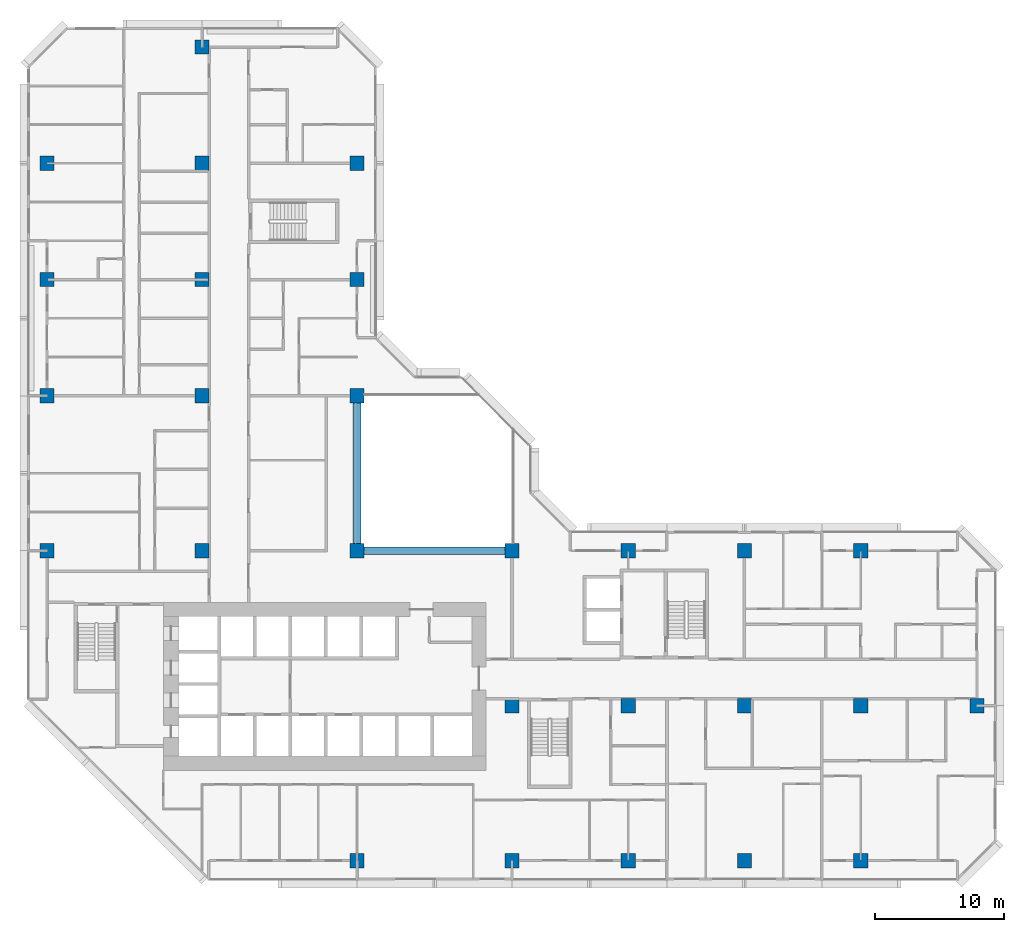
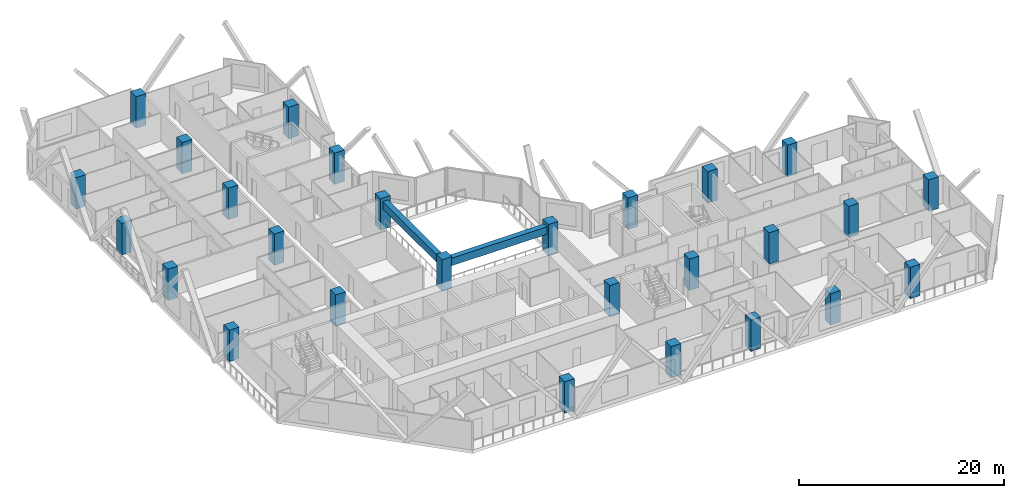
# One storey, part 1 of 15: 27 columns, 2 beams.
"""IFC4 building model written with IfcOpenShell, lengths in metres."""

from ifc_helpers import new_model, si_unit, direction, frame, origin, origin_2d, place, context, subcontext, project, spatial, rectangle, extrude, material, material_profile, profile_set, type_object, element, save


model = new_model("IFC4")

# Units and contexts
model_context = context("Model", 3, precision=1e-05, world=origin(), true_north=direction((0.0, 1.0)))
body_context = subcontext(model_context, "Body", "Model", "MODEL_VIEW")
ifc_project = project(units=[si_unit("LENGTHUNIT", "METRE"), si_unit("AREAUNIT", "SQUARE_METRE"), si_unit("VOLUMEUNIT", "CUBIC_METRE"), si_unit("PLANEANGLEUNIT", "RADIAN"), si_unit("MASSUNIT", "GRAM", prefix="KILO")], contexts=[model_context])

# Site, building, storey
site_placement = place(None, origin())
site = spatial("IfcSite", under=ifc_project, at=site_placement, CompositionType="ELEMENT")
building_placement = place(site_placement, origin())
building = spatial("IfcBuilding", under=site, at=building_placement, Name="Chenar Terraces", CompositionType="ELEMENT")
storey_placement = place(building_placement, frame((0.0, 0.0, 56.39990234375)))
storey = spatial("IfcBuildingStorey", under=building, at=storey_placement, Name="L11", CompositionType="ELEMENT", Elevation=56.39990234375)

# Columns
ifc_material_1 = material(Name="Concrete C70/85", Category="concrete")
ifc_material_profile_1 = material_profile(ifc_material_1, rectangle(XDim=1.10009765625, YDim=1.10009765625, at=origin_2d()), Name="C 1100 x 1100")
ifc_profile_set_1 = profile_set([ifc_material_profile_1], Name="Concrete C70/85")
column_type = type_object("IfcColumnType", Name="Column C 1100 x 1100 Concrete C70/85", PredefinedType="COLUMN", material=ifc_profile_set_1)
column_1_placement = place(storey_placement, frame((0.0, 24.0, 0.0), z_axis=(0.0, 0.0, 1.0), x_axis=(1.0, 0.0, 0.0)))
element("IfcColumn", 1, at=column_1_placement, inside=storey, type_object=column_type, Name="Column 5/G L11", PredefinedType="COLUMN", context=body_context, shape_type="SweptSolid", body=[
    extrude(rectangle(XDim=1.10009765625, YDim=1.10009765625, at=origin_2d()), origin(), (0.0, 0.0, 1.0), 3.75),
])
column_2_placement = place(storey_placement, frame((0.0, 36.0, 0.0), z_axis=(0.0, 0.0, 1.0), x_axis=(1.0, 0.0, 0.0)))
element("IfcColumn", 2, at=column_2_placement, inside=storey, type_object=column_type, Name="Column 5/H L11", PredefinedType="COLUMN", context=body_context, shape_type="SweptSolid", body=[
    extrude(rectangle(XDim=1.10009765625, YDim=1.10009765625, at=origin_2d()), origin(), (0.0, 0.0, 1.0), 3.75),
])
column_3_placement = place(storey_placement, frame((0.0, 45.0, 0.0), z_axis=(0.0, 0.0, 1.0), x_axis=(1.0, 0.0, 0.0)))
element("IfcColumn", 3, at=column_3_placement, inside=storey, type_object=column_type, Name="Column 5/J L11", PredefinedType="COLUMN", context=body_context, shape_type="SweptSolid", body=[
    extrude(rectangle(XDim=1.10009765625, YDim=1.10009765625, at=origin_2d()), origin(), (0.0, 0.0, 1.0), 3.75),
])
column_4_placement = place(storey_placement, frame((0.0, 54.0, 0.0), z_axis=(0.0, 0.0, 1.0), x_axis=(1.0, 0.0, 0.0)))
element("IfcColumn", 4, at=column_4_placement, inside=storey, type_object=column_type, Name="Column 5/K L11", PredefinedType="COLUMN", context=body_context, shape_type="SweptSolid", body=[
    extrude(rectangle(XDim=1.10009765625, YDim=1.10009765625, at=origin_2d()), origin(), (0.0, 0.0, 1.0), 3.75),
])
for number, where, z_axis, x_axis, name in (
    (5, (12.0, 24.0, 0.0), (0.0, 0.0, 1.0), (1.0, 0.0, 0.0), "Column 6/G L11"),
    (6, (12.0, 36.0, 0.0), (0.0, 0.0, 1.0), (1.0, 0.0, 0.0), "Column 6/H L11"),
    (7, (12.0, 45.0, 0.0), (0.0, 0.0, 1.0), (1.0, 0.0, 0.0), "Column 6/J L11"),
    (8, (12.0, 54.0, 0.0), (0.0, 0.0, 1.0), (1.0, 0.0, 0.0), "Column 6/K L11"),
    (9, (12.0, 63.0, 0.0), (0.0, 0.0, 1.0), (1.0, 0.0, 0.0), "Column 6/L L11"),
    (10, (24.0, 0.0, 0.0), (0.0, 0.0, 1.0), (1.0, 0.0, 0.0), "Column 7/E L11"),
    (11, (24.0, 24.0, 0.0), (0.0, 0.0, 1.0), (1.0, 0.0, 0.0), "Column 7/G L11"),
    (12, (24.0, 36.0, 0.0), (0.0, 0.0, 1.0), (1.0, 0.0, 0.0), "Column 7/H L11"),
    (13, (24.0, 45.0, 0.0), (0.0, 0.0, 1.0), (1.0, 0.0, 0.0), "Column 7/J L11"),
    (14, (24.0, 54.0, 0.0), (0.0, 0.0, 1.0), (1.0, 0.0, 0.0), "Column 7/K L11"),
    (15, (36.0, 0.0, 0.0), (0.0, 0.0, 1.0), (1.0, 0.0, 0.0), "Column 8/E L11"),
    (16, (36.0, 12.0, 0.0), (0.0, 0.0, 1.0), (1.0, 0.0, 0.0), "Column 8/F L11"),
    (17, (36.0, 24.0, 0.0), (0.0, 0.0, 1.0), (1.0, 0.0, 0.0), "Column 8/G L11"),
    (18, (45.0, 0.0, 0.0), (0.0, 0.0, 1.0), (1.0, 0.0, 0.0), "Column 9/E L11"),
    (19, (45.0, 12.0, 0.0), (0.0, 0.0, 1.0), (1.0, 0.0, 0.0), "Column 9/F L11"),
    (20, (45.0, 24.0, 0.0), (0.0, 0.0, 1.0), (1.0, 0.0, 0.0), "Column 9/G L11"),
    (21, (54.0, 0.0, 0.0), (0.0, 0.0, 1.0), (1.0, 0.0, 0.0), "Column 10/E L11"),
    (22, (54.0, 12.0, 0.0), (0.0, 0.0, 1.0), (1.0, 0.0, 0.0), "Column 10/F L11"),
    (23, (54.0, 24.0, 0.0), (0.0, 0.0, 1.0), (1.0, 0.0, 0.0), "Column 10/G L11"),
    (24, (63.0, 0.0, 0.0), (0.0, 0.0, 1.0), (1.0, 0.0, 0.0), "Column 11/E L11"),
    (25, (63.0, 12.0, 0.0), (0.0, 0.0, 1.0), (1.0, 0.0, 0.0), "Column 11/F L11"),
    (26, (63.0, 24.0, 0.0), (0.0, 0.0, 1.0), (1.0, 0.0, 0.0), "Column 11/G L11"),
    (27, (72.0, 12.0, 0.0), (0.0, 0.0, 1.0), (1.0, 0.0, 0.0), "Column 12/F L11"),
):
    element("IfcColumn", number, at=place(storey_placement, frame(where, z_axis=z_axis, x_axis=x_axis)), inside=storey, type_object=column_type, Name=name, PredefinedType="COLUMN", context=body_context, shape_type="SweptSolid", body=[
        extrude(rectangle(XDim=1.10009765625, YDim=1.10009765625, at=origin_2d()), origin(), (0.0, 0.0, 1.0), 3.75),
    ])

# Beams
ifc_material_2 = material(Name="Concrete C40/50", Category="concrete")
ifc_material_profile_2 = material_profile(ifc_material_2, rectangle(XDim=0.60009765625, YDim=0.89990234375, at=origin_2d()), Name="RC 600 x 900")
ifc_profile_set_2 = profile_set([ifc_material_profile_2], Name="Concrete C40/50")
beam_type = type_object("IfcBeamType", Name="Atrium edge beam 600 x 900 Concrete C40/50", PredefinedType="BEAM", material=ifc_profile_set_2)
for number, where, z_axis, x_axis, name in (
    (28, (24.550048828125, 24.0, 2.900146484375), (1.0, 0.0, 0.0), (0.0, 1.0, 0.0), "Atrium edge beam L12 1"),
    (29, (24.0, 35.449951171875, 2.900146484375), (0.0, -1.0, 0.0), (1.0, 0.0, 0.0), "Atrium edge beam L12 4"),
):
    element("IfcBeam", number, at=place(storey_placement, frame(where, z_axis=z_axis, x_axis=x_axis)), inside=storey, type_object=beam_type, Name=name, PredefinedType="BEAM", context=body_context, shape_type="SweptSolid", body=[
        extrude(rectangle(XDim=0.60009765625, YDim=0.89990234375, at=origin_2d()), origin(), (0.0, 0.0, 1.0), 10.89990234375),
    ])

save(model, "model.ifc")
